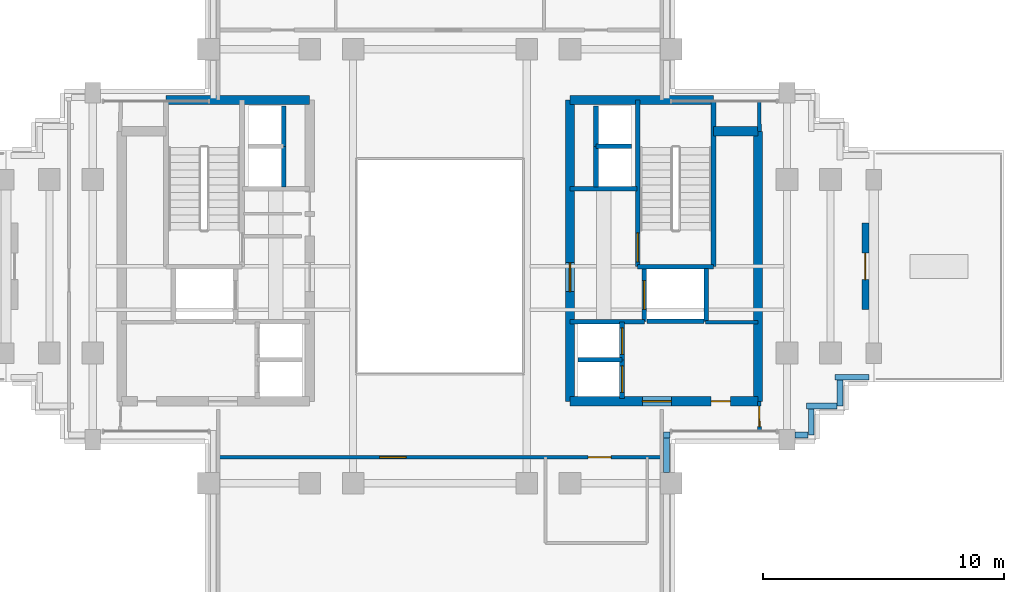
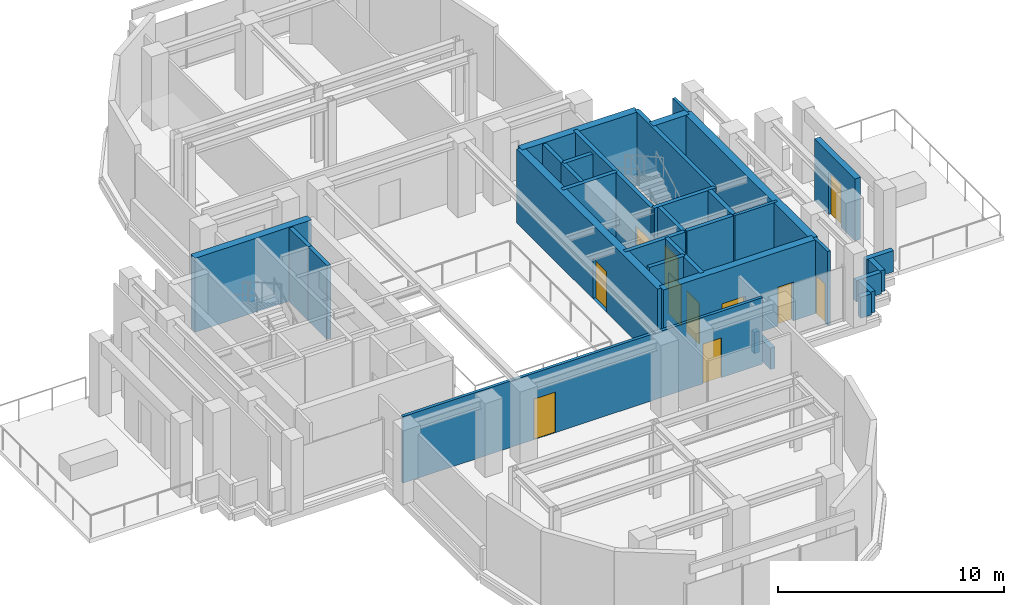
# One storey, part 7 of 12: 34 walls, 11 doors, 11 openings.
"""IFC4 building model written with IfcOpenShell, lengths in metres."""

from ifc_helpers import new_model, si_unit, direction, frame, frame_2d, origin, place, context, subcontext, project, spatial, rectangle, extrude, source, transform, mapped, material, layer, layer_set, type_object, element, fill, save


model = new_model("IFC4")

# Units and contexts
model_context = context("Model", 3, precision=1e-05, world=origin(), true_north=direction((0.0, 1.0)))
body_context = subcontext(model_context, "Body", "Model", "MODEL_VIEW")
ifc_project = project(units=[si_unit("LENGTHUNIT", "METRE"), si_unit("AREAUNIT", "SQUARE_METRE"), si_unit("VOLUMEUNIT", "CUBIC_METRE"), si_unit("PLANEANGLEUNIT", "RADIAN"), si_unit("MASSUNIT", "GRAM", prefix="KILO")], contexts=[model_context])

# Site, building, storey
site_placement = place(None, origin())
site = spatial("IfcSite", under=ifc_project, at=site_placement, CompositionType="ELEMENT")
building_placement = place(site_placement, origin())
building = spatial("IfcBuilding", under=site, at=building_placement, Name="Keilestroom Media Tower", CompositionType="ELEMENT")
storey_placement = place(building_placement, frame((0.0, 0.0, 156.199951171875)))
storey = spatial("IfcBuildingStorey", under=building, at=storey_placement, Name="L42", CompositionType="ELEMENT", Elevation=156.199951171875)

# Wall, opening, door
ifc_material_1 = material(Name="Precast concrete C40/50", Category="concrete")
ifc_layer_1 = layer(ifc_material_1, 0.300048828125)
ifc_layer_set_1 = layer_set([ifc_layer_1], Name="Precast concrete C40/50")
wall_type_1 = type_object("IfcWallType", Name="Exterior-Masonry-Spandrel-Wall-300", PredefinedType="SOLIDWALL", material=ifc_layer_set_1)
wall_1_placement = place(storey_placement, frame((17.64990234375, -1.800048828125, 0.0), z_axis=(0.0, 0.0, 1.0), x_axis=(0.0, 1.0, 0.0)))
wall_1 = element("IfcWall", 1, at=wall_1_placement, inside=storey, type_object=wall_type_1, Name="L42 Terrace Threshold Wall SG42-E", PredefinedType="SOLIDWALL", context=body_context, shape_type="SweptSolid", body=[
    extrude(rectangle(XDim=3.60009765625, YDim=0.300048828125, at=frame_2d((1.800048828125, 0.0))), origin(), (0.0, 0.0, 1.0), 3.35009765625),
])
opening_1_placement = place(wall_1_placement, frame((1.25, 0.0, 0.0)))
opening_1 = element("IfcOpeningElement", 2, at=opening_1_placement, cuts=wall_1, Name="Opening DE-02", PredefinedType="OPENING", context=body_context, shape_type="SweptSolid", body=[
    extrude(rectangle(XDim=1.10009765625, YDim=2.300048828125, at=frame_2d((0.550048828125, 1.14990234375))), frame((0.0, 0.16015625, 0.0), z_axis=(0.0, -1.0, 0.0), x_axis=(1.0, 0.0, 0.0)), (0.0, 0.0, 1.0), 0.320068359375),
])
ifc_material_2 = material(Name="Thermally Broken Aluminium & Laminated Glass", Category="aluminium")
door_type_1 = type_object("IfcDoorType", Name="Exterior-Entrance-And-Terrace-Door-DE-02", OperationType="NOTDEFINED", PredefinedType="DOOR", material=ifc_material_2)
shared_shape_1 = source(origin(), body_context, "Body", "SweptSolid", [
    extrude(rectangle(XDim=1.10009765625, YDim=2.300048828125, at=frame_2d((0.550048828125, 1.14990234375))), frame((0.0, 0.02490234375, 0.0), z_axis=(0.0, -1.0, 0.0), x_axis=(1.0, 0.0, 0.0)), (0.0, 0.0, 1.0), 0.050048828125),
])
door_1_placement = place(opening_1_placement, frame((1.10009765625, 0.0, 0.0), z_axis=(0.0, 0.0, 1.0), x_axis=(-1.0, 0.0, 0.0)))
door_1 = element("IfcDoor", 3, at=door_1_placement, inside=storey, type_object=door_type_1, Name="L42 Terrace Access Door DE-02 SG42-E", OperationType="SINGLE_SWING_RIGHT", OverallHeight=2.300048828125, OverallWidth=1.10009765625, PredefinedType="DOOR", context=body_context, shape_type="MappedRepresentation", body=[
    mapped(shared_shape_1, transform((0.0, 0.0, 0.0), x_axis=(1.0, 0.0, 0.0), y_axis=(0.0, 1.0, 0.0), z_axis=(0.0, 0.0, 1.0), scale=1.0)),
])
fill(opening_1, door_1)

# Wall
ifc_material_3 = material(Name="Gypsum Plasterboard & Steel Stud", Category="steel")
ifc_layer_2 = layer(ifc_material_3, 0.14990234375)
ifc_layer_set_2 = layer_set([ifc_layer_2], Name="Gypsum Plasterboard & Steel Stud")
wall_type_2 = type_object("IfcWallType", Name="Interior-Partition-Wall-150", PredefinedType="PARTITIONING", material=ifc_layer_set_2)
wall_2_placement = place(storey_placement, frame((11.02001953125, -2.320068359375, 0.0), z_axis=(0.0, 0.0, 1.0), x_axis=(1.0, 0.0, 0.0)))
element("IfcWall", 4, at=wall_2_placement, inside=storey, type_object=wall_type_2, Name="L42 Interior Wall WP-L42-RECLE-N", PredefinedType="PARTITIONING", context=body_context, shape_type="SweptSolid", body=[
    extrude(rectangle(XDim=2.179931640625, YDim=0.14990234375, at=frame_2d((1.08984375, 0.0))), origin(), (0.0, 0.0, 1.0), 4.0),
])

# Wall, openings, doors
wall_3_placement = place(storey_placement, frame((-9.199951171875, -7.919921875, 0.0), z_axis=(0.0, 0.0, 1.0), x_axis=(1.0, 0.0, 0.0)))
wall_3 = element("IfcWall", 5, at=wall_3_placement, inside=storey, type_object=wall_type_2, Name="L42 Interior Wall WP-L42-SL-BASE", PredefinedType="PARTITIONING", context=body_context, shape_type="SweptSolid", body=[
    extrude(rectangle(XDim=18.39990234375, YDim=0.14990234375, at=frame_2d((9.199951171875, 0.0))), origin(), (0.0, 0.0, 1.0), 3.60009765625),
])
opening_2_placement = place(wall_3_placement, frame((15.35009765625, 0.0, 0.0)))
opening_2 = element("IfcOpeningElement", 6, at=opening_2_placement, cuts=wall_3, Name="Opening DI-03", PredefinedType="OPENING", context=body_context, shape_type="SweptSolid", body=[
    extrude(rectangle(XDim=0.949951171875, YDim=2.14990234375, at=frame_2d((0.47509765625, 1.074951171875))), frame((0.0, 0.0849609375, 0.0), z_axis=(0.0, -1.0, 0.0), x_axis=(1.0, 0.0, 0.0)), (0.0, 0.0, 1.0), 0.169921875),
])
opening_3_placement = place(wall_3_placement, frame((6.699951171875, 0.0, 0.0)))
opening_3 = element("IfcOpeningElement", 7, at=opening_3_placement, cuts=wall_3, Name="Opening DI-04", PredefinedType="OPENING", context=body_context, shape_type="SweptSolid", body=[
    extrude(rectangle(XDim=1.10009765625, YDim=2.199951171875, at=frame_2d((0.550048828125, 1.10009765625))), frame((0.0, 0.0849609375, 0.0), z_axis=(0.0, -1.0, 0.0), x_axis=(1.0, 0.0, 0.0)), (0.0, 0.0, 1.0), 0.169921875),
])
ifc_material_4 = material(Name="Lacquered European Oak Leaf", Category="wood")
door_type_2 = type_object("IfcDoorType", Name="Interior-Room-And-Suite-Door-DI-03", OperationType="NOTDEFINED", PredefinedType="DOOR", material=ifc_material_4)
shared_shape_2 = source(origin(), body_context, "Body", "SweptSolid", [
    extrude(rectangle(XDim=0.949951171875, YDim=2.14990234375, at=frame_2d((0.47509765625, 1.074951171875))), frame((0.0, 0.02490234375, 0.0), z_axis=(0.0, -1.0, 0.0), x_axis=(1.0, 0.0, 0.0)), (0.0, 0.0, 1.0), 0.050048828125),
])
door_2_placement = place(opening_2_placement, origin())
door_2 = element("IfcDoor", 8, at=door_2_placement, inside=storey, type_object=door_type_2, Name="L42 Interior Door DI-L42-DSL-WC", OperationType="SINGLE_SWING_LEFT", OverallHeight=2.14990234375, OverallWidth=0.949951171875, PredefinedType="DOOR", context=body_context, shape_type="MappedRepresentation", body=[
    mapped(shared_shape_2, transform((0.0, 0.0, 0.0), x_axis=(1.0, 0.0, 0.0), y_axis=(0.0, 1.0, 0.0), z_axis=(0.0, 0.0, 1.0), scale=1.0)),
])
fill(opening_2, door_2)
ifc_material_5 = material(Name="Acoustic Glazed Aluminium Leaf", Category="aluminium")
door_type_3 = type_object("IfcDoorType", Name="Interior-Room-And-Suite-Door-DI-04", OperationType="NOTDEFINED", PredefinedType="DOOR", material=ifc_material_5)
shared_shape_3 = source(origin(), body_context, "Body", "SweptSolid", [
    extrude(rectangle(XDim=1.10009765625, YDim=2.199951171875, at=frame_2d((0.550048828125, 1.10009765625))), frame((0.0, 0.02490234375, 0.0), z_axis=(0.0, -1.0, 0.0), x_axis=(1.0, 0.0, 0.0)), (0.0, 0.0, 1.0), 0.050048828125),
])
door_3_placement = place(opening_3_placement, origin())
door_3 = element("IfcDoor", 9, at=door_3_placement, inside=storey, type_object=door_type_3, Name="L42 Interior Door DI-L42-DSL-MAIN", OperationType="SINGLE_SWING_RIGHT", OverallHeight=2.199951171875, OverallWidth=1.10009765625, PredefinedType="DOOR", context=body_context, shape_type="MappedRepresentation", body=[
    mapped(shared_shape_3, transform((0.0, 0.0, 0.0), x_axis=(1.0, 0.0, 0.0), y_axis=(0.0, 1.0, 0.0), z_axis=(0.0, 0.0, 1.0), scale=1.0)),
])
fill(opening_3, door_3)

# Wall
wall_4_placement = place(storey_placement, frame((13.260009765625, 5.60009765625, 0.0), z_axis=(0.0, 0.0, 1.0), x_axis=(-0.016013571389, 0.999871774545, 0.0)))
element("IfcWall", 10, at=wall_4_placement, inside=storey, type_object=wall_type_2, Name="L42 Interior Wall WP-L42-EA-ENTN", PredefinedType="PARTITIONING", context=body_context, shape_type="SweptSolid", body=[
    extrude(rectangle(XDim=1.250244140625, YDim=0.14990234375, at=frame_2d((0.625, 0.0))), origin(), (0.0, 0.0, 1.0), 4.0),
])

# Wall, opening, door
wall_5_placement = place(storey_placement, frame((13.260009765625, -6.85009765625, 0.0), z_axis=(0.0, 0.0, 1.0), x_axis=(-0.016013571389, 0.999871774545, 0.0)))
wall_5 = element("IfcWall", 11, at=wall_5_placement, inside=storey, type_object=wall_type_2, Name="L42 Interior Wall WP-L42-EA-ENTS", PredefinedType="PARTITIONING", context=body_context, shape_type="SweptSolid", body=[
    extrude(rectangle(XDim=1.250244140625, YDim=0.14990234375, at=frame_2d((0.625, 0.0))), origin(), (0.0, 0.0, 1.0), 4.0),
])
opening_4_placement = place(wall_5_placement, frame((0.199951171875, 0.0, 0.0)))
opening_4 = element("IfcOpeningElement", 12, at=opening_4_placement, cuts=wall_5, Name="Opening DI-05", PredefinedType="OPENING", context=body_context, shape_type="SweptSolid", body=[
    extrude(rectangle(XDim=0.85009765625, YDim=2.10009765625, at=frame_2d((0.425048828125, 1.050048828125))), frame((0.0, 0.0849609375, 0.0), z_axis=(0.0, -1.0, 0.0), x_axis=(1.0, 0.0, 0.0)), (0.0, 0.0, 1.0), 0.169921875),
])
ifc_material_6 = material(Name="Moisture-Resistant Oak Leaf", Category="wood")
door_type_4 = type_object("IfcDoorType", Name="Interior-En-Suite-And-Cupboard-Door-DI-05", OperationType="NOTDEFINED", PredefinedType="DOOR", material=ifc_material_6)
shared_shape_4 = source(origin(), body_context, "Body", "SweptSolid", [
    extrude(rectangle(XDim=0.85009765625, YDim=2.10009765625, at=frame_2d((0.425048828125, 1.050048828125))), frame((0.0, 0.02490234375, 0.0), z_axis=(0.0, -1.0, 0.0), x_axis=(1.0, 0.0, 0.0)), (0.0, 0.0, 1.0), 0.050048828125),
])
door_4_placement = place(opening_4_placement, origin())
door_4 = element("IfcDoor", 13, at=door_4_placement, inside=storey, type_object=door_type_4, Name="L42 Interior Door DI-L42-DEA-S", OperationType="SINGLE_SWING_LEFT", OverallHeight=2.10009765625, OverallWidth=0.85009765625, PredefinedType="DOOR", context=body_context, shape_type="MappedRepresentation", body=[
    mapped(shared_shape_4, transform((0.0, 0.0, 0.0), x_axis=(1.0, 0.0, 0.0), y_axis=(0.0, 1.0, 0.0), z_axis=(0.0, 0.0, 1.0), scale=1.0)),
])
fill(opening_4, door_4)

# Walls
ifc_material_7 = material(Name="Concrete C55/67", Category="concrete")
ifc_layer_3 = layer(ifc_material_7, 0.3798828125)
ifc_layer_set_3 = layer_set([ifc_layer_3], Name="Concrete C55/67")
wall_type_3 = type_object("IfcWallType", Name="Reinforced-Concrete-Core-Shear-Wall-380", PredefinedType="SHEAR", material=ifc_layer_set_3)
wall_6_placement = place(storey_placement, frame((-11.35595703125, 6.89990234375, 0.0), z_axis=(0.0, 0.0, 1.0), x_axis=(1.0, 0.0, 0.0)))
element("IfcWall", 14, at=wall_6_placement, inside=storey, type_object=wall_type_3, Name="L42 Core Shear Wall WL-L42-CORE-W-N", PredefinedType="SHEAR", context=body_context, shape_type="SweptSolid", body=[
    extrude(rectangle(XDim=5.9560546875, YDim=0.3798828125, at=frame_2d((2.97802734375, 0.0))), origin(), (0.0, 0.0, 1.0), 4.0),
])
wall_7_placement = place(storey_placement, frame((13.199951171875, -5.60009765625, 0.0), z_axis=(0.0, 0.0, 1.0), x_axis=(0.0, 1.0, 0.0)))
element("IfcWall", 15, at=wall_7_placement, inside=storey, type_object=wall_type_3, Name="L42 Core Shear Wall WL-L42-CORE-E-OUT", PredefinedType="SHEAR", context=body_context, shape_type="SweptSolid", body=[
    extrude(rectangle(XDim=11.2001953125, YDim=0.3798828125, at=frame_2d((5.60009765625, 0.0))), origin(), (0.0, 0.0, 1.0), 4.0),
])

# Wall, opening, door
wall_8_placement = place(storey_placement, frame((5.39990234375, -5.60009765625, 0.0), z_axis=(0.0, 0.0, 1.0), x_axis=(0.0, 1.0, 0.0)))
wall_8 = element("IfcWall", 16, at=wall_8_placement, inside=storey, type_object=wall_type_3, Name="L42 Core Shear Wall WL-L42-CORE-E-IN", PredefinedType="SHEAR", context=body_context, shape_type="SweptSolid", body=[
    extrude(rectangle(XDim=12.5, YDim=0.3798828125, at=frame_2d((6.25, 0.0))), origin(), (0.0, 0.0, 1.0), 4.0),
])
opening_5_placement = place(wall_8_placement, frame((4.550048828125, 0.0, 0.0)))
opening_5 = element("IfcOpeningElement", 17, at=opening_5_placement, cuts=wall_8, Name="Opening DI-02", PredefinedType="OPENING", context=body_context, shape_type="SweptSolid", body=[
    extrude(rectangle(XDim=1.199951171875, YDim=2.199951171875, at=frame_2d((0.60009765625, 1.10009765625))), frame((0.0, 0.199951171875, 0.0), z_axis=(0.0, -1.0, 0.0), x_axis=(1.0, 0.0, 0.0)), (0.0, 0.0, 1.0), 0.39990234375),
])
ifc_material_8 = material(Name="Powder-Coated Steel Fire Leaf", Category="steel")
door_type_5 = type_object("IfcDoorType", Name="Interior-Compartment-Fire-Door-DI-02", OperationType="NOTDEFINED", PredefinedType="DOOR", material=ifc_material_8)
shared_shape_5 = source(origin(), body_context, "Body", "SweptSolid", [
    extrude(rectangle(XDim=1.199951171875, YDim=2.199951171875, at=frame_2d((0.60009765625, 1.10009765625))), frame((0.0, 0.02490234375, 0.0), z_axis=(0.0, -1.0, 0.0), x_axis=(1.0, 0.0, 0.0)), (0.0, 0.0, 1.0), 0.050048828125),
])
door_5_placement = place(opening_5_placement, origin())
door_5 = element("IfcDoor", 18, at=door_5_placement, inside=storey, type_object=door_type_5, Name="L42 E Firefighting Lobby Door", OperationType="SINGLE_SWING_LEFT", OverallHeight=2.199951171875, OverallWidth=1.199951171875, PredefinedType="DOOR", context=body_context, shape_type="MappedRepresentation", body=[
    mapped(shared_shape_5, transform((0.0, 0.0, 0.0), x_axis=(1.0, 0.0, 0.0), y_axis=(0.0, 1.0, 0.0), z_axis=(0.0, 0.0, 1.0), scale=1.0)),
])
fill(opening_5, door_5)

# Walls
wall_9_placement = place(storey_placement, frame((5.39990234375, 6.89990234375, 0.0), z_axis=(0.0, 0.0, 1.0), x_axis=(1.0, 0.0, 0.0)))
element("IfcWall", 19, at=wall_9_placement, inside=storey, type_object=wall_type_3, Name="L42 Core Shear Wall WL-L42-CORE-E-N", PredefinedType="SHEAR", context=body_context, shape_type="SweptSolid", body=[
    extrude(rectangle(XDim=5.9560546875, YDim=0.3798828125, at=frame_2d((2.97802734375, 0.0))), origin(), (0.0, 0.0, 1.0), 4.0),
])
wall_10_placement = place(storey_placement, frame((11.35595703125, 5.60009765625, 0.0), z_axis=(0.0, 0.0, 1.0), x_axis=(1.0, 0.0, 0.0)))
element("IfcWall", 20, at=wall_10_placement, inside=storey, type_object=wall_type_3, Name="L42 Core Shear Wall WL-L42-CNE-N", PredefinedType="SHEAR", context=body_context, shape_type="SweptSolid", body=[
    extrude(rectangle(XDim=1.843994140625, YDim=0.3798828125, at=frame_2d((0.921875, 0.0))), origin(), (0.0, 0.0, 1.0), 4.0),
])

# Wall, openings, doors
wall_11_placement = place(storey_placement, frame((5.39990234375, -5.60009765625, 0.0), z_axis=(0.0, 0.0, 1.0), x_axis=(1.0, 0.0, 0.0)))
wall_11 = element("IfcWall", 21, at=wall_11_placement, inside=storey, type_object=wall_type_3, Name="L42 Core Shear Wall WL-L42-CORE-E-S", PredefinedType="SHEAR", context=body_context, shape_type="SweptSolid", body=[
    extrude(rectangle(XDim=7.800048828125, YDim=0.3798828125, at=frame_2d((3.89990234375, 0.0))), origin(), (0.0, 0.0, 1.0), 4.0),
])
opening_6_placement = place(wall_11_placement, frame((3.0, 0.0, 0.0)))
opening_6 = element("IfcOpeningElement", 22, at=opening_6_placement, cuts=wall_11, Name="Opening DI-02", PredefinedType="OPENING", context=body_context, shape_type="SweptSolid", body=[
    extrude(rectangle(XDim=1.199951171875, YDim=2.199951171875, at=frame_2d((0.60009765625, 1.10009765625))), frame((0.0, 0.199951171875, 0.0), z_axis=(0.0, -1.0, 0.0), x_axis=(1.0, 0.0, 0.0)), (0.0, 0.0, 1.0), 0.39990234375),
])
opening_7_placement = place(wall_11_placement, frame((5.85009765625, 0.0, 0.0)))
opening_7 = element("IfcOpeningElement", 23, at=opening_7_placement, cuts=wall_11, Name="Opening DI-06", PredefinedType="OPENING", context=body_context, shape_type="SweptSolid", body=[
    extrude(rectangle(XDim=0.800048828125, YDim=2.10009765625, at=frame_2d((0.39990234375, 1.050048828125))), frame((0.0, 0.199951171875, 0.0), z_axis=(0.0, -1.0, 0.0), x_axis=(1.0, 0.0, 0.0)), (0.0, 0.0, 1.0), 0.39990234375),
])
door_6_placement = place(opening_6_placement, origin())
door_6 = element("IfcDoor", 24, at=door_6_placement, inside=storey, type_object=door_type_5, Name="L42 E Passenger Lift Lobby Door", OperationType="SINGLE_SWING_RIGHT", OverallHeight=2.199951171875, OverallWidth=1.199951171875, PredefinedType="DOOR", context=body_context, shape_type="MappedRepresentation", body=[
    mapped(shared_shape_5, transform((0.0, 0.0, 0.0), x_axis=(1.0, 0.0, 0.0), y_axis=(0.0, 1.0, 0.0), z_axis=(0.0, 0.0, 1.0), scale=1.0)),
])
fill(opening_6, door_6)
ifc_material_9 = material(Name="Powder-Coated Steel Service Leaf", Category="steel")
door_type_6 = type_object("IfcDoorType", Name="Interior-Riser-Access-Door-DI-06", OperationType="NOTDEFINED", PredefinedType="DOOR", material=ifc_material_9)
shared_shape_6 = source(origin(), body_context, "Body", "SweptSolid", [
    extrude(rectangle(XDim=0.800048828125, YDim=2.10009765625, at=frame_2d((0.39990234375, 1.050048828125))), frame((0.0, 0.02490234375, 0.0), z_axis=(0.0, -1.0, 0.0), x_axis=(1.0, 0.0, 0.0)), (0.0, 0.0, 1.0), 0.050048828125),
])
door_7_placement = place(opening_7_placement, origin())
door_7 = element("IfcDoor", 25, at=door_7_placement, inside=storey, type_object=door_type_6, Name="L42 Reclaimed East Core Room Door", OperationType="SINGLE_SWING_RIGHT", OverallHeight=2.10009765625, OverallWidth=0.800048828125, PredefinedType="DOOR", context=body_context, shape_type="MappedRepresentation", body=[
    mapped(shared_shape_6, transform((0.0, 0.0, 0.0), x_axis=(1.0, 0.0, 0.0), y_axis=(0.0, 1.0, 0.0), z_axis=(0.0, 0.0, 1.0), scale=1.0)),
])
fill(opening_7, door_7)

# Walls
ifc_material_10 = material(Name="Concrete C50/60", Category="concrete")
ifc_layer_4 = layer(ifc_material_10, 0.199951171875)
ifc_layer_set_4 = layer_set([ifc_layer_4], Name="Concrete C50/60")
wall_type_4 = type_object("IfcWallType", Name="Reinforced-Concrete-Shaft-Wall-200", PredefinedType="SOLIDWALL", material=ifc_layer_set_4)
wall_12_placement = place(storey_placement, frame((5.39990234375, 3.219970703125, 0.0), z_axis=(0.0, 0.0, 1.0), x_axis=(1.0, 0.0, 0.0)))
element("IfcWall", 26, at=wall_12_placement, inside=storey, type_object=wall_type_4, Name="L42 Core Shear Wall WL-L42-CORE-E-FFN", PredefinedType="SOLIDWALL", context=body_context, shape_type="SweptSolid", body=[
    extrude(rectangle(XDim=2.780029296875, YDim=0.199951171875, at=frame_2d((1.39013671875, 0.0))), origin(), (0.0, 0.0, 1.0), 4.0),
])
wall_13_placement = place(storey_placement, frame((5.39990234375, -2.300048828125, 0.0), z_axis=(0.0, 0.0, 1.0), x_axis=(1.0, 0.0, 0.0)))
element("IfcWall", 27, at=wall_13_placement, inside=storey, type_object=wall_type_4, Name="L42 Core Shear Wall WL-L42-CORE-E-FFS", PredefinedType="SOLIDWALL", context=body_context, shape_type="SweptSolid", body=[
    extrude(rectangle(XDim=3.080078125, YDim=0.199951171875, at=frame_2d((1.5400390625, 0.0))), origin(), (0.0, 0.0, 1.0), 4.0),
])

# Wall, opening, door
wall_14_placement = place(storey_placement, frame((8.2041015625, -0.01611328125, 0.0), z_axis=(0.0, 0.0, 1.0), x_axis=(0.0, 1.0, 0.0)))
wall_14 = element("IfcWall", 28, at=wall_14_placement, inside=storey, type_object=wall_type_4, Name="L42 Core Shear Wall WL-L42-STW-E-NEAR", PredefinedType="SOLIDWALL", context=body_context, shape_type="SweptSolid", body=[
    extrude(rectangle(XDim=6.916015625, YDim=0.199951171875, at=frame_2d((3.4580078125, 0.0))), origin(), (0.0, 0.0, 1.0), 4.0),
])
opening_8_placement = place(wall_14_placement, frame((0.199951171875, 0.0, 0.0)))
opening_8 = element("IfcOpeningElement", 29, at=opening_8_placement, cuts=wall_14, Name="Opening DI-01S", PredefinedType="OPENING", context=body_context, shape_type="SweptSolid", body=[
    extrude(rectangle(XDim=1.199951171875, YDim=2.199951171875, at=frame_2d((0.60009765625, 1.10009765625))), frame((0.0, 0.10986328125, 0.0), z_axis=(0.0, -1.0, 0.0), x_axis=(1.0, 0.0, 0.0)), (0.0, 0.0, 1.0), 0.219970703125),
])
door_type_7 = type_object("IfcDoorType", Name="Interior-Stair-And-Core-Fire-Door-DI-01", OperationType="NOTDEFINED", PredefinedType="DOOR", material=ifc_material_8)
door_8_placement = place(opening_8_placement, origin())
door_8 = element("IfcDoor", 30, at=door_8_placement, inside=storey, type_object=door_type_7, Name="L42 Escape Stair ST-2 Fire Door", OperationType="SINGLE_SWING_RIGHT", OverallHeight=2.199951171875, OverallWidth=1.199951171875, PredefinedType="DOOR", context=body_context, shape_type="MappedRepresentation", body=[
    mapped(shared_shape_5, transform((0.0, 0.0, 0.0), x_axis=(1.0, 0.0, 0.0), y_axis=(0.0, 1.0, 0.0), z_axis=(0.0, 0.0, 1.0), scale=1.0)),
])
fill(opening_8, door_8)

# Walls
wall_15_placement = place(storey_placement, frame((11.35595703125, -0.01611328125, 0.0), z_axis=(0.0, 0.0, 1.0), x_axis=(0.0, 1.0, 0.0)))
element("IfcWall", 31, at=wall_15_placement, inside=storey, type_object=wall_type_4, Name="L42 Core Shear Wall WL-L42-STW-E-FAR", PredefinedType="SOLIDWALL", context=body_context, shape_type="SweptSolid", body=[
    extrude(rectangle(XDim=6.916015625, YDim=0.199951171875, at=frame_2d((3.4580078125, 0.0))), origin(), (0.0, 0.0, 1.0), 4.0),
])
wall_16_placement = place(storey_placement, frame((8.2041015625, -0.01611328125, 0.0), z_axis=(0.0, 0.0, 1.0), x_axis=(1.0, 0.0, 0.0)))
element("IfcWall", 32, at=wall_16_placement, inside=storey, type_object=wall_type_4, Name="L42 Core Shear Wall WL-L42-STW-E-S", PredefinedType="SOLIDWALL", context=body_context, shape_type="SweptSolid", body=[
    extrude(rectangle(XDim=3.15185546875, YDim=0.199951171875, at=frame_2d((1.575927734375, 0.0))), origin(), (0.0, 0.0, 1.0), 4.0),
])

# Wall, opening, door
wall_17_placement = place(storey_placement, frame((8.47998046875, -2.280029296875, 0.0), z_axis=(0.0, 0.0, 1.0), x_axis=(0.0, 1.0, 0.0)))
wall_17 = element("IfcWall", 33, at=wall_17_placement, inside=storey, type_object=wall_type_4, Name="L42 Core Shear Wall WL-L42-LSH-FFL-2-W", PredefinedType="SOLIDWALL", context=body_context, shape_type="SweptSolid", body=[
    extrude(rectangle(XDim=2.179931640625, YDim=0.199951171875, at=frame_2d((1.08984375, 0.0))), origin(), (0.0, 0.0, 1.0), 4.0),
])
opening_9_placement = place(wall_17_placement, frame((0.489990234375, 0.0, 0.0)))
opening_9 = element("IfcOpeningElement", 34, at=opening_9_placement, cuts=wall_17, Name="Opening LD-02", PredefinedType="OPENING", context=body_context, shape_type="SweptSolid", body=[
    extrude(rectangle(XDim=1.199951171875, YDim=2.199951171875, at=frame_2d((0.60009765625, 1.10009765625))), frame((0.0, 0.10986328125, 0.0), z_axis=(0.0, -1.0, 0.0), x_axis=(1.0, 0.0, 0.0)), (0.0, 0.0, 1.0), 0.219970703125),
])
ifc_material_11 = material(Name="Brushed Stainless Steel Sliding Leaf", Category="steel")
door_type_8 = type_object("IfcDoorType", Name="Lift-Landing-Sliding-Door-LD-02", OperationType="SLIDING_TO_RIGHT", PredefinedType="DOOR", material=ifc_material_11)
door_9_placement = place(opening_9_placement, origin())
door_9 = element("IfcDoor", 35, at=door_9_placement, inside=storey, type_object=door_type_8, Name="L42 Lift FFL-2 Landing Sliding Door", OperationType="SLIDING_TO_RIGHT", OverallHeight=2.199951171875, OverallWidth=1.199951171875, PredefinedType="DOOR", context=body_context, shape_type="MappedRepresentation", body=[
    mapped(shared_shape_5, transform((0.0, 0.0, 0.0), x_axis=(1.0, 0.0, 0.0), y_axis=(0.0, 1.0, 0.0), z_axis=(0.0, 0.0, 1.0), scale=1.0)),
])
fill(opening_9, door_9)

# Walls
wall_18_placement = place(storey_placement, frame((11.050048828125, -2.280029296875, 0.0), z_axis=(0.0, 0.0, 1.0), x_axis=(0.0, 1.0, 0.0)))
element("IfcWall", 36, at=wall_18_placement, inside=storey, type_object=wall_type_4, Name="L42 Core Shear Wall WL-L42-LSH-FFL-2-E", PredefinedType="SOLIDWALL", context=body_context, shape_type="SweptSolid", body=[
    extrude(rectangle(XDim=2.179931640625, YDim=0.199951171875, at=frame_2d((1.08984375, 0.0))), origin(), (0.0, 0.0, 1.0), 4.0),
])
wall_19_placement = place(storey_placement, frame((8.583984375, -2.280029296875, 0.0), z_axis=(0.0, 0.0, 1.0), x_axis=(1.0, 0.0, 0.0)))
element("IfcWall", 37, at=wall_19_placement, inside=storey, type_object=wall_type_4, Name="L42 Core Shear Wall WL-L42-LSH-FFL-2-S", PredefinedType="SOLIDWALL", context=body_context, shape_type="SweptSolid", body=[
    extrude(rectangle(XDim=2.362060546875, YDim=0.199951171875, at=frame_2d((1.18115234375, 0.0))), origin(), (0.0, 0.0, 1.0), 4.0),
])

# Wall, opening, door
wall_20_placement = place(storey_placement, frame((7.56005859375, -5.47998046875, 0.0), z_axis=(0.0, 0.0, 1.0), x_axis=(0.0, 1.0, 0.0)))
wall_20 = element("IfcWall", 38, at=wall_20_placement, inside=storey, type_object=wall_type_4, Name="L42 Core Shear Wall WL-L42-LSH-PL-M3-E", PredefinedType="SOLIDWALL", context=body_context, shape_type="SweptSolid", body=[
    extrude(rectangle(XDim=1.60009765625, YDim=0.199951171875, at=frame_2d((0.800048828125, 0.0))), origin(), (0.0, 0.0, 1.0), 4.0),
])
opening_10_placement = place(wall_20_placement, frame((0.25, 0.0, 0.0)))
opening_10 = element("IfcOpeningElement", 39, at=opening_10_placement, cuts=wall_20, Name="Opening LD-01", PredefinedType="OPENING", context=body_context, shape_type="SweptSolid", body=[
    extrude(rectangle(XDim=1.10009765625, YDim=2.199951171875, at=frame_2d((0.550048828125, 1.10009765625))), frame((0.0, 0.10986328125, 0.0), z_axis=(0.0, -1.0, 0.0), x_axis=(1.0, 0.0, 0.0)), (0.0, 0.0, 1.0), 0.219970703125),
])
door_type_9 = type_object("IfcDoorType", Name="Lift-Landing-Sliding-Door-LD-01", OperationType="SLIDING_TO_LEFT", PredefinedType="DOOR", material=ifc_material_11)
door_10_placement = place(opening_10_placement, origin())
door_10 = element("IfcDoor", 40, at=door_10_placement, inside=storey, type_object=door_type_9, Name="L42 Lift PL-M3 Landing Sliding Door", OperationType="SLIDING_TO_LEFT", OverallHeight=2.199951171875, OverallWidth=1.10009765625, PredefinedType="DOOR", context=body_context, shape_type="MappedRepresentation", body=[
    mapped(shared_shape_3, transform((0.0, 0.0, 0.0), x_axis=(1.0, 0.0, 0.0), y_axis=(0.0, 1.0, 0.0), z_axis=(0.0, 0.0, 1.0), scale=1.0)),
])
fill(opening_10, door_10)

# Wall
wall_21_placement = place(storey_placement, frame((5.719970703125, -3.8798828125, 0.0), z_axis=(0.0, 0.0, 1.0), x_axis=(1.0, 0.0, 0.0)))
element("IfcWall", 41, at=wall_21_placement, inside=storey, type_object=wall_type_4, Name="L42 Core Shear Wall WL-L42-LSH-PL-M3-N", PredefinedType="SOLIDWALL", context=body_context, shape_type="SweptSolid", body=[
    extrude(rectangle(XDim=1.840087890625, YDim=0.199951171875, at=frame_2d((0.919921875, 0.0))), origin(), (0.0, 0.0, 1.0), 4.0),
])

# Wall, opening, door
wall_22_placement = place(storey_placement, frame((7.56005859375, -3.8798828125, 0.0), z_axis=(0.0, 0.0, 1.0), x_axis=(0.0, 1.0, 0.0)))
wall_22 = element("IfcWall", 42, at=wall_22_placement, inside=storey, type_object=wall_type_4, Name="L42 Core Shear Wall WL-L42-LSH-PL-M4-E", PredefinedType="SOLIDWALL", context=body_context, shape_type="SweptSolid", body=[
    extrude(rectangle(XDim=1.559814453125, YDim=0.199951171875, at=frame_2d((0.77978515625, 0.0))), origin(), (0.0, 0.0, 1.0), 4.0),
])
opening_11_placement = place(wall_22_placement, frame((0.22998046875, 0.0, 0.0)))
opening_11 = element("IfcOpeningElement", 43, at=opening_11_placement, cuts=wall_22, Name="Opening LD-01", PredefinedType="OPENING", context=body_context, shape_type="SweptSolid", body=[
    extrude(rectangle(XDim=1.10009765625, YDim=2.199951171875, at=frame_2d((0.550048828125, 1.10009765625))), frame((0.0, 0.10986328125, 0.0), z_axis=(0.0, -1.0, 0.0), x_axis=(1.0, 0.0, 0.0)), (0.0, 0.0, 1.0), 0.219970703125),
])
door_11_placement = place(opening_11_placement, origin())
door_11 = element("IfcDoor", 44, at=door_11_placement, inside=storey, type_object=door_type_9, Name="L42 Lift PL-M4 Landing Sliding Door", OperationType="SLIDING_TO_LEFT", OverallHeight=2.199951171875, OverallWidth=1.10009765625, PredefinedType="DOOR", context=body_context, shape_type="MappedRepresentation", body=[
    mapped(shared_shape_3, transform((0.0, 0.0, 0.0), x_axis=(1.0, 0.0, 0.0), y_axis=(0.0, 1.0, 0.0), z_axis=(0.0, 0.0, 1.0), scale=1.0)),
])
fill(opening_11, door_11)

# Walls
wall_23_placement = place(storey_placement, frame((-6.47998046875, 3.300048828125, 0.0), z_axis=(0.0, 0.0, 1.0), x_axis=(0.0, 1.0, 0.0)))
element("IfcWall", 45, at=wall_23_placement, inside=storey, type_object=wall_type_4, Name="L42 Core Shear Wall WL-L42-LSH-PL-H1-E", PredefinedType="SOLIDWALL", context=body_context, shape_type="SweptSolid", body=[
    extrude(rectangle(XDim=1.679931640625, YDim=0.199951171875, at=frame_2d((0.83984375, 0.0))), origin(), (0.0, 0.0, 1.0), 4.0),
])
wall_24_placement = place(storey_placement, frame((-6.47998046875, 4.97998046875, 0.0), z_axis=(0.0, 0.0, 1.0), x_axis=(0.0, 1.0, 0.0)))
element("IfcWall", 46, at=wall_24_placement, inside=storey, type_object=wall_type_4, Name="L42 Core Shear Wall WL-L42-LSH-PL-H2-E", PredefinedType="SOLIDWALL", context=body_context, shape_type="SweptSolid", body=[
    extrude(rectangle(XDim=1.669921875, YDim=0.199951171875, at=frame_2d((0.8349609375, 0.0))), origin(), (0.0, 0.0, 1.0), 4.0),
])
wall_25_placement = place(storey_placement, frame((6.47998046875, 3.300048828125, 0.0), z_axis=(0.0, 0.0, 1.0), x_axis=(0.0, 1.0, 0.0)))
element("IfcWall", 47, at=wall_25_placement, inside=storey, type_object=wall_type_4, Name="L42 Core Shear Wall WL-L42-LSH-PL-H3-W", PredefinedType="SOLIDWALL", context=body_context, shape_type="SweptSolid", body=[
    extrude(rectangle(XDim=1.679931640625, YDim=0.199951171875, at=frame_2d((0.83984375, 0.0))), origin(), (0.0, 0.0, 1.0), 4.0),
])
wall_26_placement = place(storey_placement, frame((6.47998046875, 4.97998046875, 0.0), z_axis=(0.0, 0.0, 1.0), x_axis=(1.0, 0.0, 0.0)))
element("IfcWall", 48, at=wall_26_placement, inside=storey, type_object=wall_type_4, Name="L42 Core Shear Wall WL-L42-LSH-PL-H3-N", PredefinedType="SOLIDWALL", context=body_context, shape_type="SweptSolid", body=[
    extrude(rectangle(XDim=1.469970703125, YDim=0.199951171875, at=frame_2d((0.73486328125, 0.0))), origin(), (0.0, 0.0, 1.0), 4.0),
])
wall_27_placement = place(storey_placement, frame((6.47998046875, 4.97998046875, 0.0), z_axis=(0.0, 0.0, 1.0), x_axis=(0.0, 1.0, 0.0)))
element("IfcWall", 49, at=wall_27_placement, inside=storey, type_object=wall_type_4, Name="L42 Core Shear Wall WL-L42-LSH-PL-H4-W", PredefinedType="SOLIDWALL", context=body_context, shape_type="SweptSolid", body=[
    extrude(rectangle(XDim=1.669921875, YDim=0.199951171875, at=frame_2d((0.8349609375, 0.0))), origin(), (0.0, 0.0, 1.0), 4.0),
])
ifc_layer_5 = layer(ifc_material_1, 0.239990234375)
ifc_layer_set_5 = layer_set([ifc_layer_5], Name="Precast concrete C40/50")
wall_type_5 = type_object("IfcWallType", Name="Roof-And-Terrace-Parapet-Wall-240", PredefinedType="PARAPET", material=ifc_layer_set_5)
wall_28_placement = place(storey_placement, frame((17.800048828125, -4.60009765625, 0.0), z_axis=(0.0, 0.0, 1.0), x_axis=(-1.0, 0.0, 0.0)))
element("IfcWall", 50, at=wall_28_placement, inside=storey, type_object=wall_type_5, Name="L42 Perimeter Edge Parapet Wall 01", PredefinedType="PARAPET", context=body_context, shape_type="SweptSolid", body=[
    extrude(rectangle(XDim=1.400146484375, YDim=0.239990234375, at=frame_2d((0.7001953125, 0.0))), origin(), (0.0, 0.0, 1.0), 1.150146484375),
])
wall_29_placement = place(storey_placement, frame((16.60009765625, -4.722900390625, 0.0), z_axis=(0.0, 0.0, 1.0), x_axis=(0.0, -1.0, 0.0)))
element("IfcWall", 51, at=wall_29_placement, inside=storey, type_object=wall_type_5, Name="L42 Perimeter Edge Parapet Wall 02", PredefinedType="PARAPET", context=body_context, shape_type="SweptSolid", body=[
    extrude(rectangle(XDim=1.0771484375, YDim=0.239990234375, at=frame_2d((0.53857421875, 0.0))), origin(), (0.0, 0.0, 1.0), 1.150146484375),
])
wall_30_placement = place(storey_placement, frame((16.47705078125, -5.800048828125, 0.0), z_axis=(0.0, 0.0, 1.0), x_axis=(-1.0, 0.0, 0.0)))
element("IfcWall", 52, at=wall_30_placement, inside=storey, type_object=wall_type_5, Name="L42 Perimeter Edge Parapet Wall 03", PredefinedType="PARAPET", context=body_context, shape_type="SweptSolid", body=[
    extrude(rectangle(XDim=1.277099609375, YDim=0.239990234375, at=frame_2d((0.638671875, 0.0))), origin(), (0.0, 0.0, 1.0), 1.150146484375),
])
wall_31_placement = place(storey_placement, frame((15.39990234375, -5.923095703125, 0.0), z_axis=(0.0, 0.0, 1.0), x_axis=(0.0, -1.0, 0.0)))
element("IfcWall", 53, at=wall_31_placement, inside=storey, type_object=wall_type_5, Name="L42 Perimeter Edge Parapet Wall 04", PredefinedType="PARAPET", context=body_context, shape_type="SweptSolid", body=[
    extrude(rectangle(XDim=1.076904296875, YDim=0.239990234375, at=frame_2d((0.53857421875, 0.0))), origin(), (0.0, 0.0, 1.0), 1.150146484375),
])
wall_32_placement = place(storey_placement, frame((15.277099609375, -7.0, 0.0), z_axis=(0.0, 0.0, 1.0), x_axis=(-1.0, 0.0, 0.0)))
element("IfcWall", 54, at=wall_32_placement, inside=storey, type_object=wall_type_5, Name="L42 Perimeter Edge Parapet Wall 05", PredefinedType="PARAPET", context=body_context, shape_type="SweptSolid", body=[
    extrude(rectangle(XDim=0.549072265625, YDim=0.239990234375, at=frame_2d((0.2744140625, 0.0))), origin(), (0.0, 0.0, 1.0), 1.150146484375),
])
wall_33_placement = place(storey_placement, frame((9.547119140625, -7.0, 0.0), z_axis=(0.0, 0.0, 1.0), x_axis=(-1.0, 0.0, 0.0)))
element("IfcWall", 55, at=wall_33_placement, inside=storey, type_object=wall_type_5, Name="L42 Perimeter Edge Parapet Wall 06", PredefinedType="PARAPET", context=body_context, shape_type="SweptSolid", body=[
    extrude(rectangle(XDim=0.26904296875, YDim=0.239990234375, at=frame_2d((0.134521484375, 0.0))), origin(), (0.0, 0.0, 1.0), 1.150146484375),
])
wall_34_placement = place(storey_placement, frame((9.39990234375, -7.123046875, 0.0), z_axis=(0.0, 0.0, 1.0), x_axis=(0.0, -1.0, 0.0)))
element("IfcWall", 56, at=wall_34_placement, inside=storey, type_object=wall_type_5, Name="L42 Perimeter Edge Parapet Wall 07", PredefinedType="PARAPET", context=body_context, shape_type="SweptSolid", body=[
    extrude(rectangle(XDim=1.424072265625, YDim=0.239990234375, at=frame_2d((0.7119140625, 0.0))), origin(), (0.0, 0.0, 1.0), 1.150146484375),
])

save(model, "model.ifc")
